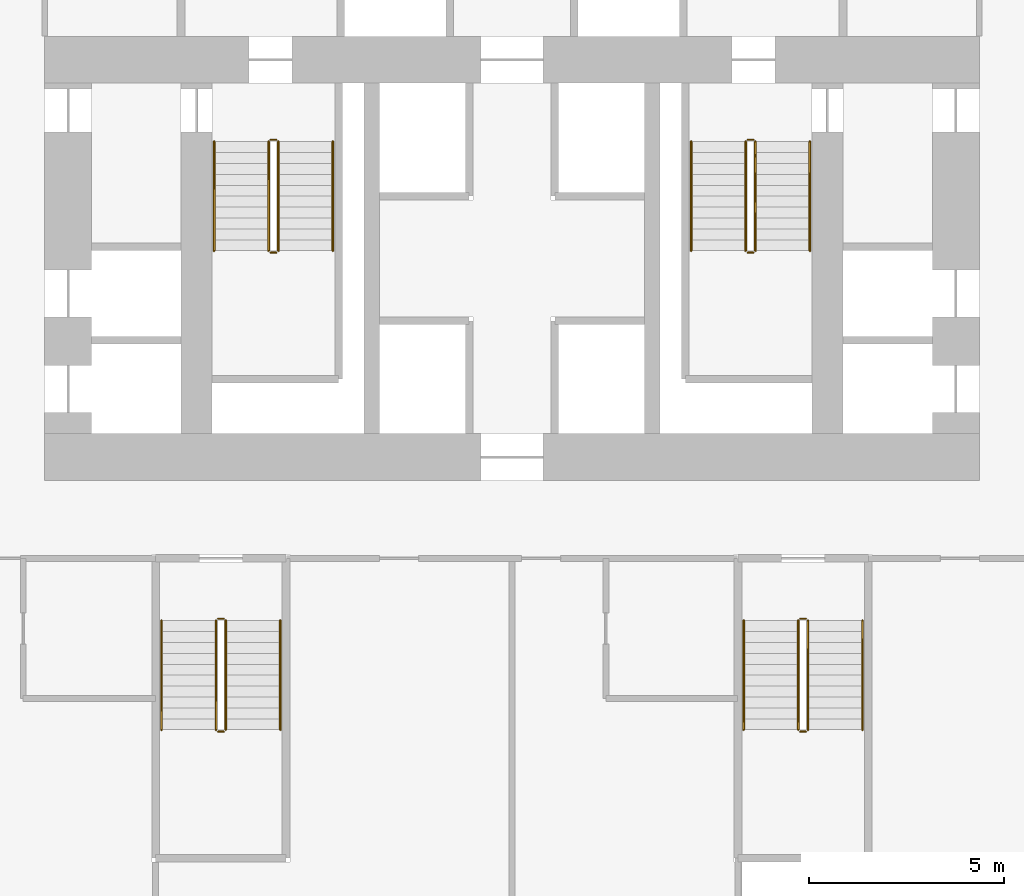
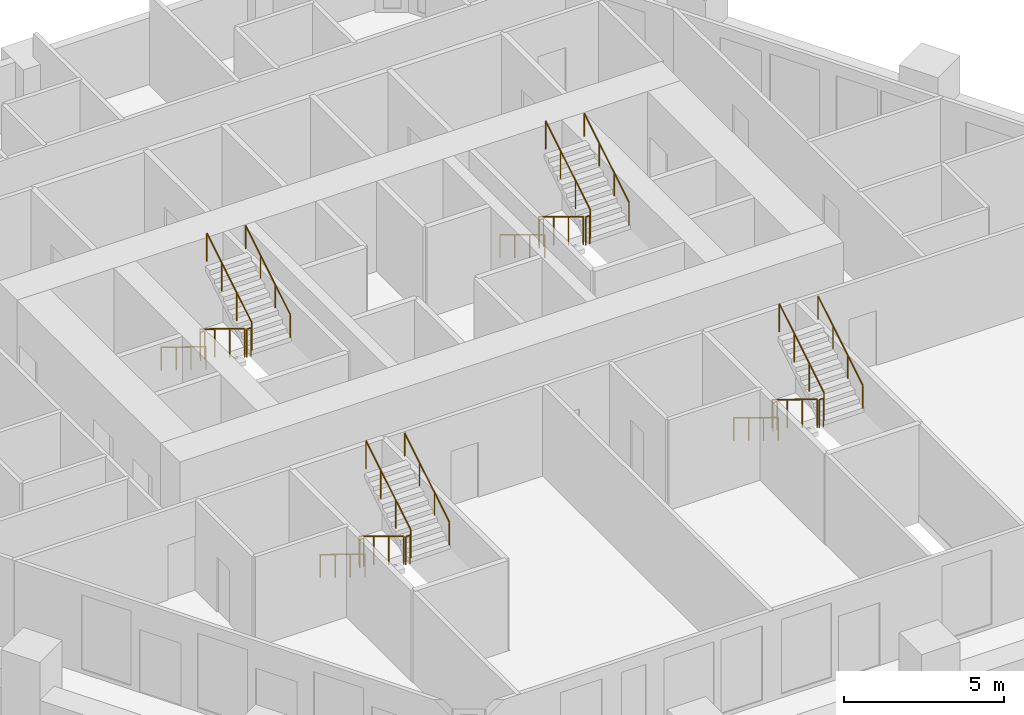
# One storey, part 8 of 8: 24 railings.
"""IFC4 building model written with IfcOpenShell, lengths in metres."""

from ifc_helpers import new_model, si_unit, direction, frame, origin, origin_2d, place, context, subcontext, project, spatial, circle, extrude, material, type_object, element, save


model = new_model("IFC4")

# Units and contexts
model_context = context("Model", 3, precision=1e-05, world=origin(), true_north=direction((0.0, 1.0)))
body_context = subcontext(model_context, "Body", "Model", "MODEL_VIEW")
ifc_project = project(units=[si_unit("LENGTHUNIT", "METRE"), si_unit("AREAUNIT", "SQUARE_METRE"), si_unit("VOLUMEUNIT", "CUBIC_METRE"), si_unit("PLANEANGLEUNIT", "RADIAN"), si_unit("MASSUNIT", "GRAM", prefix="KILO")], contexts=[model_context])

# Site, building, storey
site_placement = place(None, origin())
site = spatial("IfcSite", under=ifc_project, at=site_placement, CompositionType="ELEMENT")
building_placement = place(site_placement, origin())
building = spatial("IfcBuilding", under=site, at=building_placement, Name="Ostrander Bayou Hotel Tower", CompositionType="ELEMENT")
storey_placement = place(building_placement, frame((0.0, 0.0, 54.25)))
storey = spatial("IfcBuildingStorey", under=building, at=storey_placement, Name="L13", CompositionType="ELEMENT", Elevation=54.25)

# Railings
ifc_material_1 = material(Name="Steel ASTM A500 Gr C", Category="steel")
railing_type_1 = type_object("IfcRailingType", Name="GR1 stair guard 1100 mm steel", PredefinedType="GUARDRAIL", material=ifc_material_1)
railing_1_placement = place(storey_placement, frame((-6.25, 7.0, 0.17041015625)))
element("IfcRailing", 1, at=railing_1_placement, inside=storey, type_object=railing_type_1, Name="L13 STA stair guard 1", PredefinedType="GUARDRAIL", context=body_context, shape_type="SweptSolid", body=[
    extrude(circle(Radius=0.02392578125, at=origin_2d()), frame((0.0, 0.0, 1.076171875), z_axis=(0.0, -0.854169791009, 0.51999420009), x_axis=(1.0, 0.0, 0.0)), (0.0, 0.0, 1.0), 3.278076171875),
    extrude(circle(Radius=0.02099609375, at=origin_2d()), origin(), (0.0, 0.0, 1.0), 1.052001953125),
    extrude(circle(Radius=0.02099609375, at=origin_2d()), frame((0.0, -0.933349609375, 0.568115234375)), (0.0, 0.0, 1.0), 1.052001953125),
    extrude(circle(Radius=0.02099609375, at=origin_2d()), frame((0.0, -1.86669921875, 1.136474609375)), (0.0, 0.0, 1.0), 1.052001953125),
    extrude(circle(Radius=0.02099609375, at=origin_2d()), frame((0.0, -2.800048828125, 1.70458984375)), (0.0, 0.0, 1.0), 1.052001953125),
])
railing_2_placement = place(storey_placement, frame((-6.199951171875, 4.14990234375, 1.875)))
element("IfcRailing", 2, at=railing_2_placement, inside=storey, type_object=railing_type_1, Name="L13 STA stair guard 2", PredefinedType="GUARDRAIL", context=body_context, shape_type="SweptSolid", body=[
    extrude(circle(Radius=0.02392578125, at=origin_2d()), frame((0.0, 0.0, 1.076171875), z_axis=(1.0, 0.0, 0.0), x_axis=(0.0, 1.0, 0.0)), (0.0, 0.0, 1.0), 0.14990234375),
    extrude(circle(Radius=0.02099609375, at=origin_2d()), origin(), (0.0, 0.0, 1.0), 1.052001953125),
    extrude(circle(Radius=0.02099609375, at=origin_2d()), frame((0.14990234375, 0.0, 0.0)), (0.0, 0.0, 1.0), 1.052001953125),
])
railing_3_placement = place(storey_placement, frame((-6.0, 4.199951171875, 2.04541015625)))
element("IfcRailing", 3, at=railing_3_placement, inside=storey, type_object=railing_type_1, Name="L13 STA stair guard 3", PredefinedType="GUARDRAIL", context=body_context, shape_type="SweptSolid", body=[
    extrude(circle(Radius=0.02392578125, at=origin_2d()), frame((0.0, 0.0, 1.076171875), z_axis=(0.0, 0.854169791009, 0.51999420009), x_axis=(-1.0, 0.0, 0.0)), (0.0, 0.0, 1.0), 3.278076171875),
    extrude(circle(Radius=0.02099609375, at=origin_2d()), origin(), (0.0, 0.0, 1.0), 1.052001953125),
    extrude(circle(Radius=0.02099609375, at=origin_2d()), frame((0.0, 0.933349609375, 0.568115234375)), (0.0, 0.0, 1.0), 1.052001953125),
    extrude(circle(Radius=0.02099609375, at=origin_2d()), frame((0.0, 1.86669921875, 1.136474609375)), (0.0, 0.0, 1.0), 1.052001953125),
    extrude(circle(Radius=0.02099609375, at=origin_2d()), frame((0.0, 2.800048828125, 1.70458984375)), (0.0, 0.0, 1.0), 1.052001953125),
])
railing_4_placement = place(storey_placement, frame((-6.199951171875, 7.050048828125, 0.0)))
element("IfcRailing", 4, at=railing_4_placement, inside=storey, type_object=railing_type_1, Name="L13 STA stair guard 4", PredefinedType="GUARDRAIL", context=body_context, shape_type="SweptSolid", body=[
    extrude(circle(Radius=0.02392578125, at=origin_2d()), frame((0.0, 0.0, 1.076171875), z_axis=(1.0, 0.0, 0.0), x_axis=(0.0, 1.0, 0.0)), (0.0, 0.0, 1.0), 0.14990234375),
    extrude(circle(Radius=0.02099609375, at=origin_2d()), origin(), (0.0, 0.0, 1.0), 1.052001953125),
    extrude(circle(Radius=0.02099609375, at=origin_2d()), frame((0.14990234375, 0.0, 0.0)), (0.0, 0.0, 1.0), 1.052001953125),
])
railing_5_placement = place(storey_placement, frame((6.0, 7.0, 0.17041015625)))
element("IfcRailing", 5, at=railing_5_placement, inside=storey, type_object=railing_type_1, Name="L13 STB stair guard 1", PredefinedType="GUARDRAIL", context=body_context, shape_type="SweptSolid", body=[
    extrude(circle(Radius=0.02392578125, at=origin_2d()), frame((0.0, 0.0, 1.076171875), z_axis=(0.0, -0.854169791009, 0.51999420009), x_axis=(1.0, 0.0, 0.0)), (0.0, 0.0, 1.0), 3.278076171875),
    extrude(circle(Radius=0.02099609375, at=origin_2d()), origin(), (0.0, 0.0, 1.0), 1.052001953125),
    extrude(circle(Radius=0.02099609375, at=origin_2d()), frame((0.0, -0.933349609375, 0.568115234375)), (0.0, 0.0, 1.0), 1.052001953125),
    extrude(circle(Radius=0.02099609375, at=origin_2d()), frame((0.0, -1.86669921875, 1.136474609375)), (0.0, 0.0, 1.0), 1.052001953125),
    extrude(circle(Radius=0.02099609375, at=origin_2d()), frame((0.0, -2.800048828125, 1.70458984375)), (0.0, 0.0, 1.0), 1.052001953125),
])
railing_6_placement = place(storey_placement, frame((6.050048828125, 4.14990234375, 1.875)))
element("IfcRailing", 6, at=railing_6_placement, inside=storey, type_object=railing_type_1, Name="L13 STB stair guard 2", PredefinedType="GUARDRAIL", context=body_context, shape_type="SweptSolid", body=[
    extrude(circle(Radius=0.02392578125, at=origin_2d()), frame((0.0, 0.0, 1.076171875), z_axis=(1.0, 0.0, 0.0), x_axis=(0.0, 1.0, 0.0)), (0.0, 0.0, 1.0), 0.14990234375),
    extrude(circle(Radius=0.02099609375, at=origin_2d()), origin(), (0.0, 0.0, 1.0), 1.052001953125),
    extrude(circle(Radius=0.02099609375, at=origin_2d()), frame((0.14990234375, 0.0, 0.0)), (0.0, 0.0, 1.0), 1.052001953125),
])
railing_7_placement = place(storey_placement, frame((6.25, 4.199951171875, 2.04541015625)))
element("IfcRailing", 7, at=railing_7_placement, inside=storey, type_object=railing_type_1, Name="L13 STB stair guard 3", PredefinedType="GUARDRAIL", context=body_context, shape_type="SweptSolid", body=[
    extrude(circle(Radius=0.02392578125, at=origin_2d()), frame((0.0, 0.0, 1.076171875), z_axis=(0.0, 0.854169791009, 0.51999420009), x_axis=(-1.0, 0.0, 0.0)), (0.0, 0.0, 1.0), 3.278076171875),
    extrude(circle(Radius=0.02099609375, at=origin_2d()), origin(), (0.0, 0.0, 1.0), 1.052001953125),
    extrude(circle(Radius=0.02099609375, at=origin_2d()), frame((0.0, 0.933349609375, 0.568115234375)), (0.0, 0.0, 1.0), 1.052001953125),
    extrude(circle(Radius=0.02099609375, at=origin_2d()), frame((0.0, 1.86669921875, 1.136474609375)), (0.0, 0.0, 1.0), 1.052001953125),
    extrude(circle(Radius=0.02099609375, at=origin_2d()), frame((0.0, 2.800048828125, 1.70458984375)), (0.0, 0.0, 1.0), 1.052001953125),
])
railing_8_placement = place(storey_placement, frame((6.050048828125, 7.050048828125, 0.0)))
element("IfcRailing", 8, at=railing_8_placement, inside=storey, type_object=railing_type_1, Name="L13 STB stair guard 4", PredefinedType="GUARDRAIL", context=body_context, shape_type="SweptSolid", body=[
    extrude(circle(Radius=0.02392578125, at=origin_2d()), frame((0.0, 0.0, 1.076171875), z_axis=(1.0, 0.0, 0.0), x_axis=(0.0, 1.0, 0.0)), (0.0, 0.0, 1.0), 0.14990234375),
    extrude(circle(Radius=0.02099609375, at=origin_2d()), origin(), (0.0, 0.0, 1.0), 1.052001953125),
    extrude(circle(Radius=0.02099609375, at=origin_2d()), frame((0.14990234375, 0.0, 0.0)), (0.0, 0.0, 1.0), 1.052001953125),
])
railing_9_placement = place(storey_placement, frame((7.35009765625, -5.300048828125, 0.17041015625)))
element("IfcRailing", 9, at=railing_9_placement, inside=storey, type_object=railing_type_1, Name="L13 STC stair guard 1", PredefinedType="GUARDRAIL", context=body_context, shape_type="SweptSolid", body=[
    extrude(circle(Radius=0.02392578125, at=origin_2d()), frame((0.0, 0.0, 1.076171875), z_axis=(0.0, -0.854169791009, 0.51999420009), x_axis=(1.0, 0.0, 0.0)), (0.0, 0.0, 1.0), 3.278076171875),
    extrude(circle(Radius=0.02099609375, at=origin_2d()), origin(), (0.0, 0.0, 1.0), 1.052001953125),
    extrude(circle(Radius=0.02099609375, at=origin_2d()), frame((0.0, -0.933349609375, 0.568115234375)), (0.0, 0.0, 1.0), 1.052001953125),
    extrude(circle(Radius=0.02099609375, at=origin_2d()), frame((0.0, -1.86669921875, 1.136474609375)), (0.0, 0.0, 1.0), 1.052001953125),
    extrude(circle(Radius=0.02099609375, at=origin_2d()), frame((0.0, -2.800048828125, 1.70458984375)), (0.0, 0.0, 1.0), 1.052001953125),
])
railing_10_placement = place(storey_placement, frame((7.39990234375, -8.14990234375, 1.875)))
element("IfcRailing", 10, at=railing_10_placement, inside=storey, type_object=railing_type_1, Name="L13 STC stair guard 2", PredefinedType="GUARDRAIL", context=body_context, shape_type="SweptSolid", body=[
    extrude(circle(Radius=0.02392578125, at=origin_2d()), frame((0.0, 0.0, 1.076171875), z_axis=(1.0, 0.0, 0.0), x_axis=(0.0, 1.0, 0.0)), (0.0, 0.0, 1.0), 0.150146484375),
    extrude(circle(Radius=0.02099609375, at=origin_2d()), origin(), (0.0, 0.0, 1.0), 1.052001953125),
    extrude(circle(Radius=0.02099609375, at=origin_2d()), frame((0.150146484375, 0.0, 0.0)), (0.0, 0.0, 1.0), 1.052001953125),
])
railing_11_placement = place(storey_placement, frame((7.60009765625, -8.10009765625, 2.04541015625)))
element("IfcRailing", 11, at=railing_11_placement, inside=storey, type_object=railing_type_1, Name="L13 STC stair guard 3", PredefinedType="GUARDRAIL", context=body_context, shape_type="SweptSolid", body=[
    extrude(circle(Radius=0.02392578125, at=origin_2d()), frame((0.0, 0.0, 1.076171875), z_axis=(0.0, 0.854169791009, 0.51999420009), x_axis=(-1.0, 0.0, 0.0)), (0.0, 0.0, 1.0), 3.278076171875),
    extrude(circle(Radius=0.02099609375, at=origin_2d()), origin(), (0.0, 0.0, 1.0), 1.052001953125),
    extrude(circle(Radius=0.02099609375, at=origin_2d()), frame((0.0, 0.933349609375, 0.568115234375)), (0.0, 0.0, 1.0), 1.052001953125),
    extrude(circle(Radius=0.02099609375, at=origin_2d()), frame((0.0, 1.86669921875, 1.136474609375)), (0.0, 0.0, 1.0), 1.052001953125),
    extrude(circle(Radius=0.02099609375, at=origin_2d()), frame((0.0, 2.800048828125, 1.70458984375)), (0.0, 0.0, 1.0), 1.052001953125),
])
railing_12_placement = place(storey_placement, frame((7.39990234375, -5.25, 0.0)))
element("IfcRailing", 12, at=railing_12_placement, inside=storey, type_object=railing_type_1, Name="L13 STC stair guard 4", PredefinedType="GUARDRAIL", context=body_context, shape_type="SweptSolid", body=[
    extrude(circle(Radius=0.02392578125, at=origin_2d()), frame((0.0, 0.0, 1.076171875), z_axis=(1.0, 0.0, 0.0), x_axis=(0.0, 1.0, 0.0)), (0.0, 0.0, 1.0), 0.150146484375),
    extrude(circle(Radius=0.02099609375, at=origin_2d()), origin(), (0.0, 0.0, 1.0), 1.052001953125),
    extrude(circle(Radius=0.02099609375, at=origin_2d()), frame((0.150146484375, 0.0, 0.0)), (0.0, 0.0, 1.0), 1.052001953125),
])
railing_13_placement = place(storey_placement, frame((-7.60009765625, -5.300048828125, 0.17041015625)))
element("IfcRailing", 13, at=railing_13_placement, inside=storey, type_object=railing_type_1, Name="L13 STD stair guard 1", PredefinedType="GUARDRAIL", context=body_context, shape_type="SweptSolid", body=[
    extrude(circle(Radius=0.02392578125, at=origin_2d()), frame((0.0, 0.0, 1.076171875), z_axis=(0.0, -0.854169791009, 0.51999420009), x_axis=(1.0, 0.0, 0.0)), (0.0, 0.0, 1.0), 3.278076171875),
    extrude(circle(Radius=0.02099609375, at=origin_2d()), origin(), (0.0, 0.0, 1.0), 1.052001953125),
    extrude(circle(Radius=0.02099609375, at=origin_2d()), frame((0.0, -0.933349609375, 0.568115234375)), (0.0, 0.0, 1.0), 1.052001953125),
    extrude(circle(Radius=0.02099609375, at=origin_2d()), frame((0.0, -1.86669921875, 1.136474609375)), (0.0, 0.0, 1.0), 1.052001953125),
    extrude(circle(Radius=0.02099609375, at=origin_2d()), frame((0.0, -2.800048828125, 1.70458984375)), (0.0, 0.0, 1.0), 1.052001953125),
])
railing_14_placement = place(storey_placement, frame((-7.550048828125, -8.14990234375, 1.875)))
element("IfcRailing", 14, at=railing_14_placement, inside=storey, type_object=railing_type_1, Name="L13 STD stair guard 2", PredefinedType="GUARDRAIL", context=body_context, shape_type="SweptSolid", body=[
    extrude(circle(Radius=0.02392578125, at=origin_2d()), frame((0.0, 0.0, 1.076171875), z_axis=(1.0, 0.0, 0.0), x_axis=(0.0, 1.0, 0.0)), (0.0, 0.0, 1.0), 0.150146484375),
    extrude(circle(Radius=0.02099609375, at=origin_2d()), origin(), (0.0, 0.0, 1.0), 1.052001953125),
    extrude(circle(Radius=0.02099609375, at=origin_2d()), frame((0.150146484375, 0.0, 0.0)), (0.0, 0.0, 1.0), 1.052001953125),
])
railing_15_placement = place(storey_placement, frame((-7.35009765625, -8.10009765625, 2.04541015625)))
element("IfcRailing", 15, at=railing_15_placement, inside=storey, type_object=railing_type_1, Name="L13 STD stair guard 3", PredefinedType="GUARDRAIL", context=body_context, shape_type="SweptSolid", body=[
    extrude(circle(Radius=0.02392578125, at=origin_2d()), frame((0.0, 0.0, 1.076171875), z_axis=(0.0, 0.854169791009, 0.51999420009), x_axis=(-1.0, 0.0, 0.0)), (0.0, 0.0, 1.0), 3.278076171875),
    extrude(circle(Radius=0.02099609375, at=origin_2d()), origin(), (0.0, 0.0, 1.0), 1.052001953125),
    extrude(circle(Radius=0.02099609375, at=origin_2d()), frame((0.0, 0.933349609375, 0.568115234375)), (0.0, 0.0, 1.0), 1.052001953125),
    extrude(circle(Radius=0.02099609375, at=origin_2d()), frame((0.0, 1.86669921875, 1.136474609375)), (0.0, 0.0, 1.0), 1.052001953125),
    extrude(circle(Radius=0.02099609375, at=origin_2d()), frame((0.0, 2.800048828125, 1.70458984375)), (0.0, 0.0, 1.0), 1.052001953125),
])
railing_16_placement = place(storey_placement, frame((-7.550048828125, -5.25, 0.0)))
element("IfcRailing", 16, at=railing_16_placement, inside=storey, type_object=railing_type_1, Name="L13 STD stair guard 4", PredefinedType="GUARDRAIL", context=body_context, shape_type="SweptSolid", body=[
    extrude(circle(Radius=0.02392578125, at=origin_2d()), frame((0.0, 0.0, 1.076171875), z_axis=(1.0, 0.0, 0.0), x_axis=(0.0, 1.0, 0.0)), (0.0, 0.0, 1.0), 0.150146484375),
    extrude(circle(Radius=0.02099609375, at=origin_2d()), origin(), (0.0, 0.0, 1.0), 1.052001953125),
    extrude(circle(Radius=0.02099609375, at=origin_2d()), frame((0.150146484375, 0.0, 0.0)), (0.0, 0.0, 1.0), 1.052001953125),
])
ifc_material_2 = material(Name="Steel ASTM A500 Gr C", Category="steel")
railing_type_2 = type_object("IfcRailingType", Name="HR1 stair handrail 900 mm steel", PredefinedType="HANDRAIL", material=ifc_material_2)
railing_17_placement = place(storey_placement, frame((-7.64990234375, 7.0, 0.17041015625)))
element("IfcRailing", 17, at=railing_17_placement, inside=storey, type_object=railing_type_2, Name="L13 STA stair handrail 1", PredefinedType="HANDRAIL", context=body_context, shape_type="SweptSolid", body=[
    extrude(circle(Radius=0.02392578125, at=origin_2d()), frame((0.0, 0.0, 0.8759765625), z_axis=(0.0, -0.854169791009, 0.51999420009), x_axis=(1.0, 0.0, 0.0)), (0.0, 0.0, 1.0), 3.278076171875),
    extrude(circle(Radius=0.02099609375, at=origin_2d()), origin(), (0.0, 0.0, 1.0), 0.851806640625),
    extrude(circle(Radius=0.02099609375, at=origin_2d()), frame((0.0, -0.933349609375, 0.568115234375)), (0.0, 0.0, 1.0), 0.851806640625),
    extrude(circle(Radius=0.02099609375, at=origin_2d()), frame((0.0, -1.86669921875, 1.136474609375)), (0.0, 0.0, 1.0), 0.851806640625),
    extrude(circle(Radius=0.02099609375, at=origin_2d()), frame((0.0, -2.800048828125, 1.70458984375)), (0.0, 0.0, 1.0), 0.851806640625),
])
railing_18_placement = place(storey_placement, frame((-4.60009765625, 4.199951171875, 2.04541015625)))
element("IfcRailing", 18, at=railing_18_placement, inside=storey, type_object=railing_type_2, Name="L13 STA stair handrail 2", PredefinedType="HANDRAIL", context=body_context, shape_type="SweptSolid", body=[
    extrude(circle(Radius=0.02392578125, at=origin_2d()), frame((0.0, 0.0, 0.8759765625), z_axis=(0.0, 0.854169791009, 0.51999420009), x_axis=(-1.0, 0.0, 0.0)), (0.0, 0.0, 1.0), 3.278076171875),
    extrude(circle(Radius=0.02099609375, at=origin_2d()), origin(), (0.0, 0.0, 1.0), 0.851806640625),
    extrude(circle(Radius=0.02099609375, at=origin_2d()), frame((0.0, 0.933349609375, 0.568115234375)), (0.0, 0.0, 1.0), 0.851806640625),
    extrude(circle(Radius=0.02099609375, at=origin_2d()), frame((0.0, 1.86669921875, 1.136474609375)), (0.0, 0.0, 1.0), 0.851806640625),
    extrude(circle(Radius=0.02099609375, at=origin_2d()), frame((0.0, 2.800048828125, 1.70458984375)), (0.0, 0.0, 1.0), 0.851806640625),
])
railing_19_placement = place(storey_placement, frame((4.60009765625, 7.0, 0.17041015625)))
element("IfcRailing", 19, at=railing_19_placement, inside=storey, type_object=railing_type_2, Name="L13 STB stair handrail 1", PredefinedType="HANDRAIL", context=body_context, shape_type="SweptSolid", body=[
    extrude(circle(Radius=0.02392578125, at=origin_2d()), frame((0.0, 0.0, 0.8759765625), z_axis=(0.0, -0.854169791009, 0.51999420009), x_axis=(1.0, 0.0, 0.0)), (0.0, 0.0, 1.0), 3.278076171875),
    extrude(circle(Radius=0.02099609375, at=origin_2d()), origin(), (0.0, 0.0, 1.0), 0.851806640625),
    extrude(circle(Radius=0.02099609375, at=origin_2d()), frame((0.0, -0.933349609375, 0.568115234375)), (0.0, 0.0, 1.0), 0.851806640625),
    extrude(circle(Radius=0.02099609375, at=origin_2d()), frame((0.0, -1.86669921875, 1.136474609375)), (0.0, 0.0, 1.0), 0.851806640625),
    extrude(circle(Radius=0.02099609375, at=origin_2d()), frame((0.0, -2.800048828125, 1.70458984375)), (0.0, 0.0, 1.0), 0.851806640625),
])
railing_20_placement = place(storey_placement, frame((7.64990234375, 4.199951171875, 2.04541015625)))
element("IfcRailing", 20, at=railing_20_placement, inside=storey, type_object=railing_type_2, Name="L13 STB stair handrail 2", PredefinedType="HANDRAIL", context=body_context, shape_type="SweptSolid", body=[
    extrude(circle(Radius=0.02392578125, at=origin_2d()), frame((0.0, 0.0, 0.8759765625), z_axis=(0.0, 0.854169791009, 0.51999420009), x_axis=(-1.0, 0.0, 0.0)), (0.0, 0.0, 1.0), 3.278076171875),
    extrude(circle(Radius=0.02099609375, at=origin_2d()), origin(), (0.0, 0.0, 1.0), 0.851806640625),
    extrude(circle(Radius=0.02099609375, at=origin_2d()), frame((0.0, 0.933349609375, 0.568115234375)), (0.0, 0.0, 1.0), 0.851806640625),
    extrude(circle(Radius=0.02099609375, at=origin_2d()), frame((0.0, 1.86669921875, 1.136474609375)), (0.0, 0.0, 1.0), 0.851806640625),
    extrude(circle(Radius=0.02099609375, at=origin_2d()), frame((0.0, 2.800048828125, 1.70458984375)), (0.0, 0.0, 1.0), 0.851806640625),
])
railing_21_placement = place(storey_placement, frame((5.949951171875, -5.300048828125, 0.17041015625)))
element("IfcRailing", 21, at=railing_21_placement, inside=storey, type_object=railing_type_2, Name="L13 STC stair handrail 1", PredefinedType="HANDRAIL", context=body_context, shape_type="SweptSolid", body=[
    extrude(circle(Radius=0.02392578125, at=origin_2d()), frame((0.0, 0.0, 0.8759765625), z_axis=(0.0, -0.854169791009, 0.51999420009), x_axis=(1.0, 0.0, 0.0)), (0.0, 0.0, 1.0), 3.278076171875),
    extrude(circle(Radius=0.02099609375, at=origin_2d()), origin(), (0.0, 0.0, 1.0), 0.851806640625),
    extrude(circle(Radius=0.02099609375, at=origin_2d()), frame((0.0, -0.933349609375, 0.568115234375)), (0.0, 0.0, 1.0), 0.851806640625),
    extrude(circle(Radius=0.02099609375, at=origin_2d()), frame((0.0, -1.86669921875, 1.136474609375)), (0.0, 0.0, 1.0), 0.851806640625),
    extrude(circle(Radius=0.02099609375, at=origin_2d()), frame((0.0, -2.800048828125, 1.70458984375)), (0.0, 0.0, 1.0), 0.851806640625),
])
railing_22_placement = place(storey_placement, frame((9.0, -8.10009765625, 2.04541015625)))
element("IfcRailing", 22, at=railing_22_placement, inside=storey, type_object=railing_type_2, Name="L13 STC stair handrail 2", PredefinedType="HANDRAIL", context=body_context, shape_type="SweptSolid", body=[
    extrude(circle(Radius=0.02392578125, at=origin_2d()), frame((0.0, 0.0, 0.8759765625), z_axis=(0.0, 0.854169791009, 0.51999420009), x_axis=(-1.0, 0.0, 0.0)), (0.0, 0.0, 1.0), 3.278076171875),
    extrude(circle(Radius=0.02099609375, at=origin_2d()), origin(), (0.0, 0.0, 1.0), 0.851806640625),
    extrude(circle(Radius=0.02099609375, at=origin_2d()), frame((0.0, 0.933349609375, 0.568115234375)), (0.0, 0.0, 1.0), 0.851806640625),
    extrude(circle(Radius=0.02099609375, at=origin_2d()), frame((0.0, 1.86669921875, 1.136474609375)), (0.0, 0.0, 1.0), 0.851806640625),
    extrude(circle(Radius=0.02099609375, at=origin_2d()), frame((0.0, 2.800048828125, 1.70458984375)), (0.0, 0.0, 1.0), 0.851806640625),
])
railing_23_placement = place(storey_placement, frame((-9.0, -5.300048828125, 0.17041015625)))
element("IfcRailing", 23, at=railing_23_placement, inside=storey, type_object=railing_type_2, Name="L13 STD stair handrail 1", PredefinedType="HANDRAIL", context=body_context, shape_type="SweptSolid", body=[
    extrude(circle(Radius=0.02392578125, at=origin_2d()), frame((0.0, 0.0, 0.8759765625), z_axis=(0.0, -0.854169791009, 0.51999420009), x_axis=(1.0, 0.0, 0.0)), (0.0, 0.0, 1.0), 3.278076171875),
    extrude(circle(Radius=0.02099609375, at=origin_2d()), origin(), (0.0, 0.0, 1.0), 0.851806640625),
    extrude(circle(Radius=0.02099609375, at=origin_2d()), frame((0.0, -0.933349609375, 0.568115234375)), (0.0, 0.0, 1.0), 0.851806640625),
    extrude(circle(Radius=0.02099609375, at=origin_2d()), frame((0.0, -1.86669921875, 1.136474609375)), (0.0, 0.0, 1.0), 0.851806640625),
    extrude(circle(Radius=0.02099609375, at=origin_2d()), frame((0.0, -2.800048828125, 1.70458984375)), (0.0, 0.0, 1.0), 0.851806640625),
])
railing_24_placement = place(storey_placement, frame((-5.949951171875, -8.10009765625, 2.04541015625)))
element("IfcRailing", 24, at=railing_24_placement, inside=storey, type_object=railing_type_2, Name="L13 STD stair handrail 2", PredefinedType="HANDRAIL", context=body_context, shape_type="SweptSolid", body=[
    extrude(circle(Radius=0.02392578125, at=origin_2d()), frame((0.0, 0.0, 0.8759765625), z_axis=(0.0, 0.854169791009, 0.51999420009), x_axis=(-1.0, 0.0, 0.0)), (0.0, 0.0, 1.0), 3.278076171875),
    extrude(circle(Radius=0.02099609375, at=origin_2d()), origin(), (0.0, 0.0, 1.0), 0.851806640625),
    extrude(circle(Radius=0.02099609375, at=origin_2d()), frame((0.0, 0.933349609375, 0.568115234375)), (0.0, 0.0, 1.0), 0.851806640625),
    extrude(circle(Radius=0.02099609375, at=origin_2d()), frame((0.0, 1.86669921875, 1.136474609375)), (0.0, 0.0, 1.0), 0.851806640625),
    extrude(circle(Radius=0.02099609375, at=origin_2d()), frame((0.0, 2.800048828125, 1.70458984375)), (0.0, 0.0, 1.0), 0.851806640625),
])

save(model, "model.ifc")
